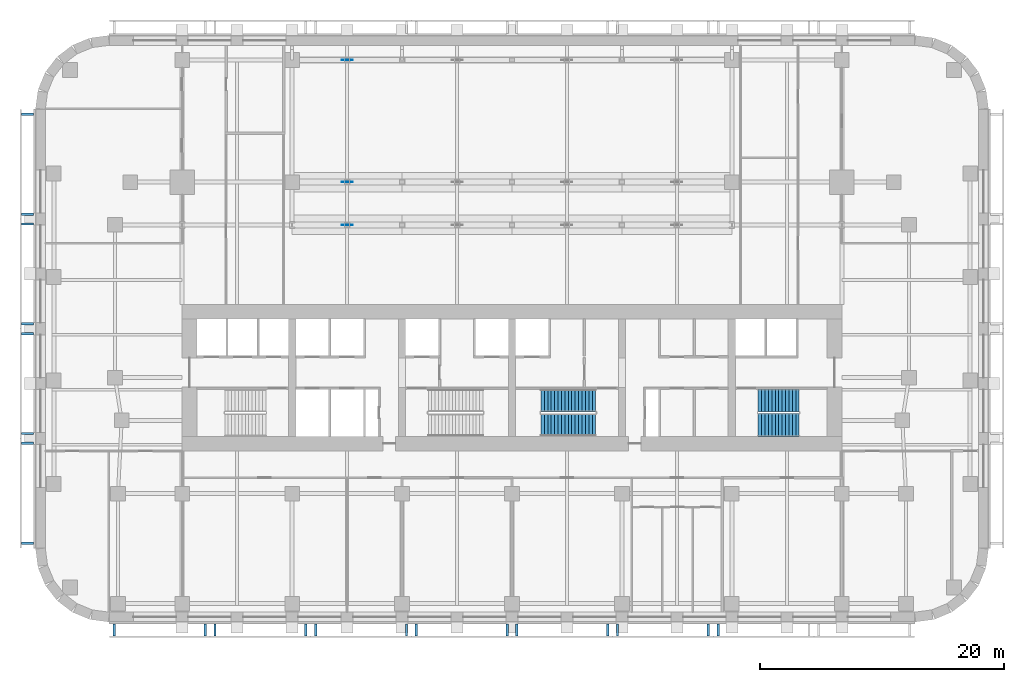
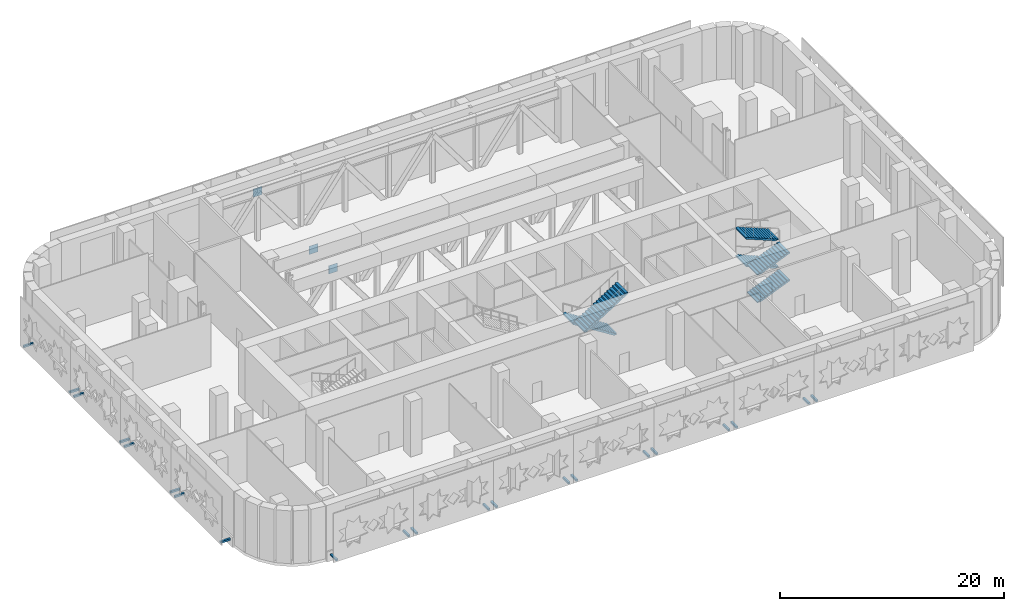
# One storey, part 10 of 15: 24 discrete accessories, 6 stair flights, 2 elements without a shape of their own.
"""IFC4 building model written with IfcOpenShell, lengths in metres."""

from ifc_helpers import new_model, si_unit, direction, frame, origin, origin_2d, place, context, subcontext, project, spatial, polyline, rectangle, outline, extrude, material, type_object, element, aggregate, save


model = new_model("IFC4")

# Units and contexts
model_context = context("Model", 3, precision=1e-05, world=origin(), true_north=direction((0.0, 1.0)))
body_context = subcontext(model_context, "Body", "Model", "MODEL_VIEW")
ifc_project = project(units=[si_unit("LENGTHUNIT", "METRE"), si_unit("AREAUNIT", "SQUARE_METRE"), si_unit("VOLUMEUNIT", "CUBIC_METRE"), si_unit("PLANEANGLEUNIT", "RADIAN"), si_unit("MASSUNIT", "GRAM", prefix="KILO")], contexts=[model_context])

# Site, building, storey
site_placement = place(None, origin())
site = spatial("IfcSite", under=ifc_project, at=site_placement, CompositionType="ELEMENT")
building_placement = place(site_placement, origin())
building = spatial("IfcBuilding", under=site, at=building_placement, Name="Zellij Exchange Tower", CompositionType="ELEMENT")
storey_placement = place(building_placement, frame((0.0, 0.0, 33.0)))
storey = spatial("IfcBuildingStorey", under=building, at=storey_placement, Name="L05", CompositionType="ELEMENT", Elevation=33.0)

# Stair, stair flights
ifc_material_1 = material(Name="Concrete C40/50", Category="concrete")
stair_type = type_object("IfcStairType", Name="CORE-ST exit stair 1850 wide", PredefinedType="HALF_TURN_STAIR", material=ifc_material_1)
stair_1_placement = place(storey_placement, origin())
stair_1 = element("IfcStair", 1, at=stair_1_placement, inside=storey, type_object=stair_type, Name="L05 exit stair ST4", PredefinedType="HALF_TURN_STAIR")
stair_flight_type_1 = type_object("IfcStairFlightType", Name="CORE-SF flight 1850 riser 115.4 going 280", PredefinedType="STRAIGHT", material=ifc_material_1)
stair_flight_1_placement = place(storey_placement, frame((20.14990234375, -11.875, 0.0), z_axis=(0.0, 0.0, 1.0), x_axis=(1.0, 0.0, 0.0)))
stair_flight_1 = element("IfcStairFlight", 2, at=stair_flight_1_placement, type_object=stair_flight_type_1, Name="ST4 flight 1", NumberOfRisers=13, NumberOfTreads=12, PredefinedType="STRAIGHT", RiserHeight=0.115384615, TreadLength=0.28, context=body_context, shape_type="SweptSolid", body=[
    extrude(outline(polyline([(0.0, 0.0), (0.0, 0.115478515625), (0.280029296875, 0.115478515625), (0.280029296875, 0.230712890625), (0.56005859375, 0.230712890625), (0.56005859375, 0.34619140625), (0.840087890625, 0.34619140625), (0.840087890625, 0.46142578125), (1.1201171875, 0.46142578125), (1.1201171875, 0.576904296875), (1.39990234375, 0.576904296875), (1.39990234375, 0.6923828125), (1.679931640625, 0.6923828125), (1.679931640625, 0.8076171875), (1.9599609375, 0.8076171875), (1.9599609375, 0.923095703125), (2.239990234375, 0.923095703125), (2.239990234375, 1.03857421875), (2.52001953125, 1.03857421875), (2.52001953125, 1.15380859375), (2.800048828125, 1.15380859375), (2.800048828125, 1.269287109375), (3.080078125, 1.269287109375), (3.080078125, 1.384521484375), (3.360107421875, 1.384521484375), (3.360107421875, 1.5), (3.360107421875, 1.222412109375), (0.3935546875, 0.0), (0.0, 0.0)])), frame((0.0, 0.925048828125, 0.0), z_axis=(0.0, -1.0, 0.0), x_axis=(1.0, 0.0, 0.0)), (0.0, 0.0, 1.0), 1.85009765625),
])
stair_flight_2_placement = place(storey_placement, frame((23.510009765625, -9.875, 1.5), z_axis=(0.0, 0.0, 1.0), x_axis=(-1.0, 0.0, 0.0)))
stair_flight_2 = element("IfcStairFlight", 3, at=stair_flight_2_placement, type_object=stair_flight_type_1, Name="ST4 flight 2", NumberOfRisers=13, NumberOfTreads=12, PredefinedType="STRAIGHT", RiserHeight=0.115384615, TreadLength=0.28, context=body_context, shape_type="SweptSolid", body=[
    extrude(outline(polyline([(0.0, 0.0), (0.0, 0.115478515625), (0.280029296875, 0.115478515625), (0.280029296875, 0.230712890625), (0.56005859375, 0.230712890625), (0.56005859375, 0.34619140625), (0.840087890625, 0.34619140625), (0.840087890625, 0.46142578125), (1.1201171875, 0.46142578125), (1.1201171875, 0.576904296875), (1.39990234375, 0.576904296875), (1.39990234375, 0.6923828125), (1.679931640625, 0.6923828125), (1.679931640625, 0.8076171875), (1.9599609375, 0.8076171875), (1.9599609375, 0.923095703125), (2.239990234375, 0.923095703125), (2.239990234375, 1.03857421875), (2.52001953125, 1.03857421875), (2.52001953125, 1.15380859375), (2.800048828125, 1.15380859375), (2.800048828125, 1.269287109375), (3.080078125, 1.269287109375), (3.080078125, 1.384521484375), (3.360107421875, 1.384521484375), (3.360107421875, 1.5), (3.360107421875, 1.222412109375), (0.3935546875, 0.0), (0.0, 0.0)])), frame((0.0, 0.925048828125, 0.0), z_axis=(0.0, -1.0, 0.0), x_axis=(1.0, 0.0, 0.0)), (0.0, 0.0, 1.0), 1.85009765625),
])
stair_flight_3_placement = place(storey_placement, frame((20.14990234375, -11.875, 3.0), z_axis=(0.0, 0.0, 1.0), x_axis=(1.0, 0.0, 0.0)))
stair_flight_3 = element("IfcStairFlight", 4, at=stair_flight_3_placement, type_object=stair_flight_type_1, Name="ST4 flight 3", NumberOfRisers=13, NumberOfTreads=12, PredefinedType="STRAIGHT", RiserHeight=0.115384615, TreadLength=0.28, context=body_context, shape_type="SweptSolid", body=[
    extrude(outline(polyline([(0.0, 0.0), (0.0, 0.115478515625), (0.280029296875, 0.115478515625), (0.280029296875, 0.230712890625), (0.56005859375, 0.230712890625), (0.56005859375, 0.34619140625), (0.840087890625, 0.34619140625), (0.840087890625, 0.46142578125), (1.1201171875, 0.46142578125), (1.1201171875, 0.576904296875), (1.39990234375, 0.576904296875), (1.39990234375, 0.6923828125), (1.679931640625, 0.6923828125), (1.679931640625, 0.8076171875), (1.9599609375, 0.8076171875), (1.9599609375, 0.923095703125), (2.239990234375, 0.923095703125), (2.239990234375, 1.03857421875), (2.52001953125, 1.03857421875), (2.52001953125, 1.15380859375), (2.800048828125, 1.15380859375), (2.800048828125, 1.269287109375), (3.080078125, 1.269287109375), (3.080078125, 1.384521484375), (3.360107421875, 1.384521484375), (3.360107421875, 1.5), (3.360107421875, 1.222412109375), (0.3935546875, 0.0), (0.0, 0.0)])), frame((0.0, 0.925048828125, 0.0), z_axis=(0.0, -1.0, 0.0), x_axis=(1.0, 0.0, 0.0)), (0.0, 0.0, 1.0), 1.85009765625),
])
stair_flight_4_placement = place(storey_placement, frame((23.510009765625, -9.875, 4.5), z_axis=(0.0, 0.0, 1.0), x_axis=(-1.0, 0.0, 0.0)))
stair_flight_4 = element("IfcStairFlight", 5, at=stair_flight_4_placement, type_object=stair_flight_type_1, Name="ST4 flight 4", NumberOfRisers=13, NumberOfTreads=12, PredefinedType="STRAIGHT", RiserHeight=0.115384615, TreadLength=0.28, context=body_context, shape_type="SweptSolid", body=[
    extrude(outline(polyline([(0.0, 0.0), (0.0, 0.115478515625), (0.280029296875, 0.115478515625), (0.280029296875, 0.230712890625), (0.56005859375, 0.230712890625), (0.56005859375, 0.34619140625), (0.840087890625, 0.34619140625), (0.840087890625, 0.46142578125), (1.1201171875, 0.46142578125), (1.1201171875, 0.576904296875), (1.39990234375, 0.576904296875), (1.39990234375, 0.6923828125), (1.679931640625, 0.6923828125), (1.679931640625, 0.8076171875), (1.9599609375, 0.8076171875), (1.9599609375, 0.923095703125), (2.239990234375, 0.923095703125), (2.239990234375, 1.03857421875), (2.52001953125, 1.03857421875), (2.52001953125, 1.15380859375), (2.800048828125, 1.15380859375), (2.800048828125, 1.269287109375), (3.080078125, 1.269287109375), (3.080078125, 1.384521484375), (3.360107421875, 1.384521484375), (3.360107421875, 1.5), (3.360107421875, 1.222412109375), (0.3935546875, 0.0), (0.0, 0.0)])), frame((0.0, 0.925048828125, 0.0), z_axis=(0.0, -1.0, 0.0), x_axis=(1.0, 0.0, 0.0)), (0.0, 0.0, 1.0), 1.85009765625),
])
aggregate(stair_1, [stair_flight_1, stair_flight_2, stair_flight_3, stair_flight_4])

stair_2_placement = place(storey_placement, origin())
stair_2 = element("IfcStair", 6, at=stair_2_placement, inside=storey, type_object=stair_type, Name="L05 exit stair ST3", PredefinedType="HALF_TURN_STAIR")
stair_flight_type_2 = type_object("IfcStairFlightType", Name="CORE-SF flight 1850 riser 176.5 going 280", PredefinedType="STRAIGHT", material=ifc_material_1)
stair_flight_5_placement = place(storey_placement, frame((6.85009765625, -9.875, 0.0), z_axis=(0.0, 0.0, 1.0), x_axis=(-1.0, 0.0, 0.0)))
stair_flight_5 = element("IfcStairFlight", 7, at=stair_flight_5_placement, type_object=stair_flight_type_2, Name="ST3 flight 1", NumberOfRisers=17, NumberOfTreads=16, PredefinedType="STRAIGHT", RiserHeight=0.176470588, TreadLength=0.28, context=body_context, shape_type="SweptSolid", body=[
    extrude(outline(polyline([(0.0, 0.0), (0.0, 0.176513671875), (0.280029296875, 0.176513671875), (0.280029296875, 0.35302734375), (0.56005859375, 0.35302734375), (0.56005859375, 0.529296875), (0.840087890625, 0.529296875), (0.840087890625, 0.705810546875), (1.1201171875, 0.705810546875), (1.1201171875, 0.88232421875), (1.39990234375, 0.88232421875), (1.39990234375, 1.058837890625), (1.679931640625, 1.058837890625), (1.679931640625, 1.2353515625), (1.9599609375, 1.2353515625), (1.9599609375, 1.411865234375), (2.239990234375, 1.411865234375), (2.239990234375, 1.588134765625), (2.52001953125, 1.588134765625), (2.52001953125, 1.7646484375), (2.800048828125, 1.7646484375), (2.800048828125, 1.941162109375), (3.080078125, 1.941162109375), (3.080078125, 2.11767578125), (3.360107421875, 2.11767578125), (3.360107421875, 2.294189453125), (3.639892578125, 2.294189453125), (3.639892578125, 2.470703125), (3.919921875, 2.470703125), (3.919921875, 2.64697265625), (4.199951171875, 2.64697265625), (4.199951171875, 2.823486328125), (4.47998046875, 2.823486328125), (4.47998046875, 3.0), (4.47998046875, 2.646240234375), (0.28125, 0.0), (0.0, 0.0)])), frame((0.0, 0.925048828125, 0.0), z_axis=(0.0, -1.0, 0.0), x_axis=(1.0, 0.0, 0.0)), (0.0, 0.0, 1.0), 1.85009765625),
])
stair_flight_6_placement = place(storey_placement, frame((2.3701171875, -11.875, 3.0), z_axis=(0.0, 0.0, 1.0), x_axis=(1.0, 0.0, 0.0)))
stair_flight_6 = element("IfcStairFlight", 8, at=stair_flight_6_placement, type_object=stair_flight_type_2, Name="ST3 flight 2", NumberOfRisers=17, NumberOfTreads=16, PredefinedType="STRAIGHT", RiserHeight=0.176470588, TreadLength=0.28, context=body_context, shape_type="SweptSolid", body=[
    extrude(outline(polyline([(0.0, 0.0), (0.0, 0.176513671875), (0.280029296875, 0.176513671875), (0.280029296875, 0.35302734375), (0.56005859375, 0.35302734375), (0.56005859375, 0.529296875), (0.840087890625, 0.529296875), (0.840087890625, 0.705810546875), (1.1201171875, 0.705810546875), (1.1201171875, 0.88232421875), (1.39990234375, 0.88232421875), (1.39990234375, 1.058837890625), (1.679931640625, 1.058837890625), (1.679931640625, 1.2353515625), (1.9599609375, 1.2353515625), (1.9599609375, 1.411865234375), (2.239990234375, 1.411865234375), (2.239990234375, 1.588134765625), (2.52001953125, 1.588134765625), (2.52001953125, 1.7646484375), (2.800048828125, 1.7646484375), (2.800048828125, 1.941162109375), (3.080078125, 1.941162109375), (3.080078125, 2.11767578125), (3.360107421875, 2.11767578125), (3.360107421875, 2.294189453125), (3.639892578125, 2.294189453125), (3.639892578125, 2.470703125), (3.919921875, 2.470703125), (3.919921875, 2.64697265625), (4.199951171875, 2.64697265625), (4.199951171875, 2.823486328125), (4.47998046875, 2.823486328125), (4.47998046875, 3.0), (4.47998046875, 2.646240234375), (0.28125, 0.0), (0.0, 0.0)])), frame((0.0, 0.925048828125, 0.0), z_axis=(0.0, -1.0, 0.0), x_axis=(1.0, 0.0, 0.0)), (0.0, 0.0, 1.0), 1.85009765625),
])
aggregate(stair_2, [stair_flight_5, stair_flight_6])

# Discrete accessories
ifc_material_2 = material(Name="Stainless steel", Category="steel")
discrete_accessory_type = type_object("IfcDiscreteAccessoryType", Name="ENV-BR1 Stone panel bracket 200", PredefinedType="USERDEFINED", material=ifc_material_2)
for number, where, z_axis, x_axis, name in (
    (9, (-39.64990234375, 13.547607421875, 0.2998046875), (0.0, 0.0, 1.0), (0.0, -1.0, 0.0), "Panel bracket"),
    (10, (-39.64990234375, 5.373779296875, 0.2998046875), (0.0, 0.0, 1.0), (0.0, -1.0, 0.0), "Panel bracket"),
    (11, (-39.64990234375, 4.57373046875, 0.2998046875), (0.0, 0.0, 1.0), (0.0, -1.0, 0.0), "Panel bracket"),
    (12, (-39.64990234375, -3.60009765625, 0.2998046875), (0.0, 0.0, 1.0), (0.0, -1.0, 0.0), "Panel bracket"),
    (13, (-39.64990234375, -4.39990234375, 0.2998046875), (0.0, 0.0, 1.0), (0.0, -1.0, 0.0), "Panel bracket"),
    (14, (-39.64990234375, -12.57373046875, 0.2998046875), (0.0, 0.0, 1.0), (0.0, -1.0, 0.0), "Panel bracket"),
    (15, (-39.64990234375, -13.373779296875, 0.2998046875), (0.0, 0.0, 1.0), (0.0, -1.0, 0.0), "Panel bracket"),
    (16, (-39.64990234375, -21.547607421875, 0.2998046875), (0.0, 0.0, 1.0), (0.0, -1.0, 0.0), "Panel bracket"),
    (17, (-32.547607421875, -28.64990234375, 0.2998046875), (0.0, 0.0, 1.0), (1.0, 0.0, 0.0), "Panel bracket"),
    (18, (-25.110595703125, -28.64990234375, 0.2998046875), (0.0, 0.0, 1.0), (1.0, 0.0, 0.0), "Panel bracket"),
    (19, (-24.310791015625, -28.64990234375, 0.2998046875), (0.0, 0.0, 1.0), (1.0, 0.0, 0.0), "Panel bracket"),
    (20, (-16.873779296875, -28.64990234375, 0.2998046875), (0.0, 0.0, 1.0), (1.0, 0.0, 0.0), "Panel bracket"),
    (21, (-16.07373046875, -28.64990234375, 0.2998046875), (0.0, 0.0, 1.0), (1.0, 0.0, 0.0), "Panel bracket"),
    (22, (-8.636962890625, -28.64990234375, 0.2998046875), (0.0, 0.0, 1.0), (1.0, 0.0, 0.0), "Panel bracket"),
    (23, (-7.8369140625, -28.64990234375, 0.2998046875), (0.0, 0.0, 1.0), (1.0, 0.0, 0.0), "Panel bracket"),
    (24, (-0.39990234375, -28.64990234375, 0.2998046875), (0.0, 0.0, 1.0), (1.0, 0.0, 0.0), "Panel bracket"),
    (25, (0.39990234375, -28.64990234375, 0.2998046875), (0.0, 0.0, 1.0), (1.0, 0.0, 0.0), "Panel bracket"),
    (26, (7.8369140625, -28.64990234375, 0.2998046875), (0.0, 0.0, 1.0), (1.0, 0.0, 0.0), "Panel bracket"),
    (27, (8.636962890625, -28.64990234375, 0.2998046875), (0.0, 0.0, 1.0), (1.0, 0.0, 0.0), "Panel bracket"),
    (28, (16.07373046875, -28.64990234375, 0.2998046875), (0.0, 0.0, 1.0), (1.0, 0.0, 0.0), "Panel bracket"),
    (29, (16.873779296875, -28.64990234375, 0.2998046875), (0.0, 0.0, 1.0), (1.0, 0.0, 0.0), "Panel bracket"),
):
    element("IfcDiscreteAccessory", number, at=place(storey_placement, frame(where, z_axis=z_axis, x_axis=x_axis)), inside=storey, type_object=discrete_accessory_type, Name=name, ObjectType="BRACKET", PredefinedType="USERDEFINED", context=body_context, shape_type="SweptSolid", body=[
        extrude(rectangle(XDim=0.199951171875, YDim=1.0, at=origin_2d()), origin(), (0.0, 0.0, 1.0), 0.199951171875),
    ])
for number, where, z_axis, x_axis, name in (
    (30, (-13.5, 4.5, 4.60009765625), (0.0, 0.0, 1.0), (1.0, 0.0, 0.0), "Gusset plate"),
    (31, (-13.5, 8.0, 4.60009765625), (0.0, 0.0, 1.0), (1.0, 0.0, 0.0), "Gusset plate"),
    (32, (-13.5, 18.0, 4.75390625), (0.0, 0.0, 1.0), (1.0, 0.0, 0.0), "Gusset plate"),
):
    element("IfcDiscreteAccessory", number, at=place(storey_placement, frame(where, z_axis=z_axis, x_axis=x_axis)), inside=storey, Name=name, PredefinedType="BRACKET", context=body_context, shape_type="SweptSolid", body=[
        extrude(rectangle(XDim=0.89990234375, YDim=0.030029296875, at=origin_2d()), origin(), (0.0, 0.0, 1.0), 0.89990234375),
    ])

save(model, "model.ifc")
